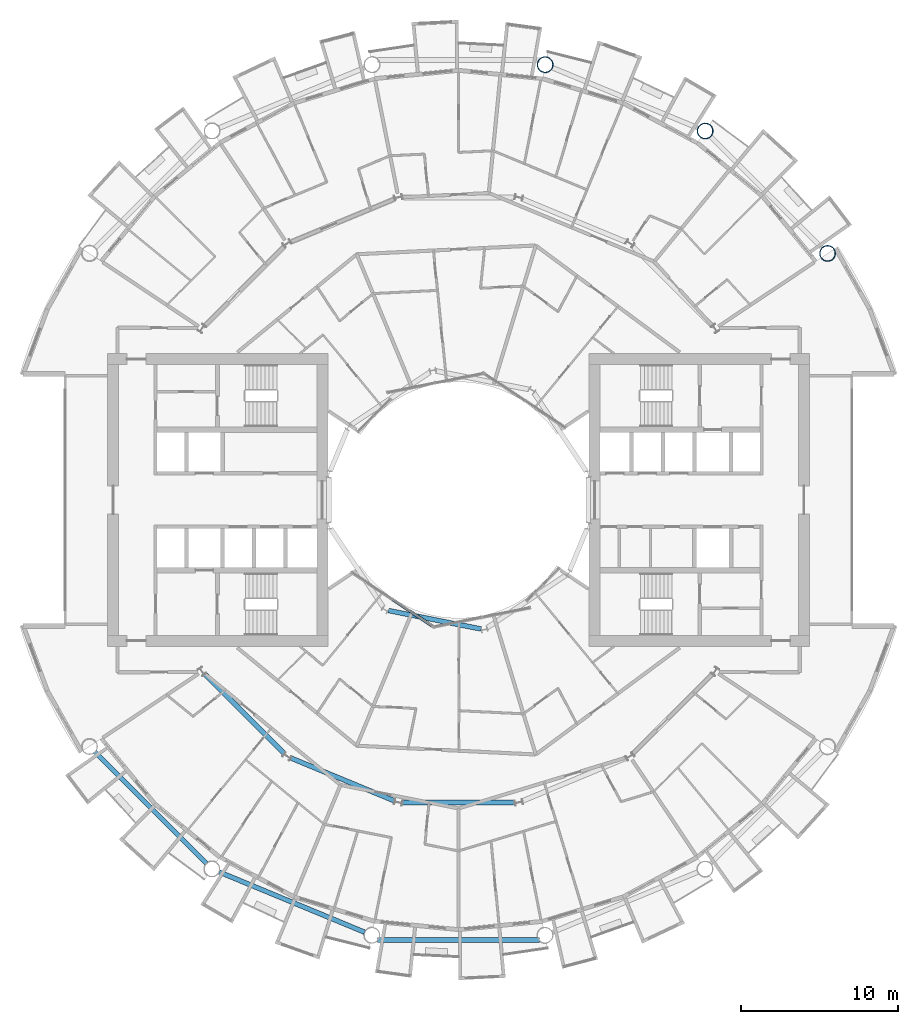
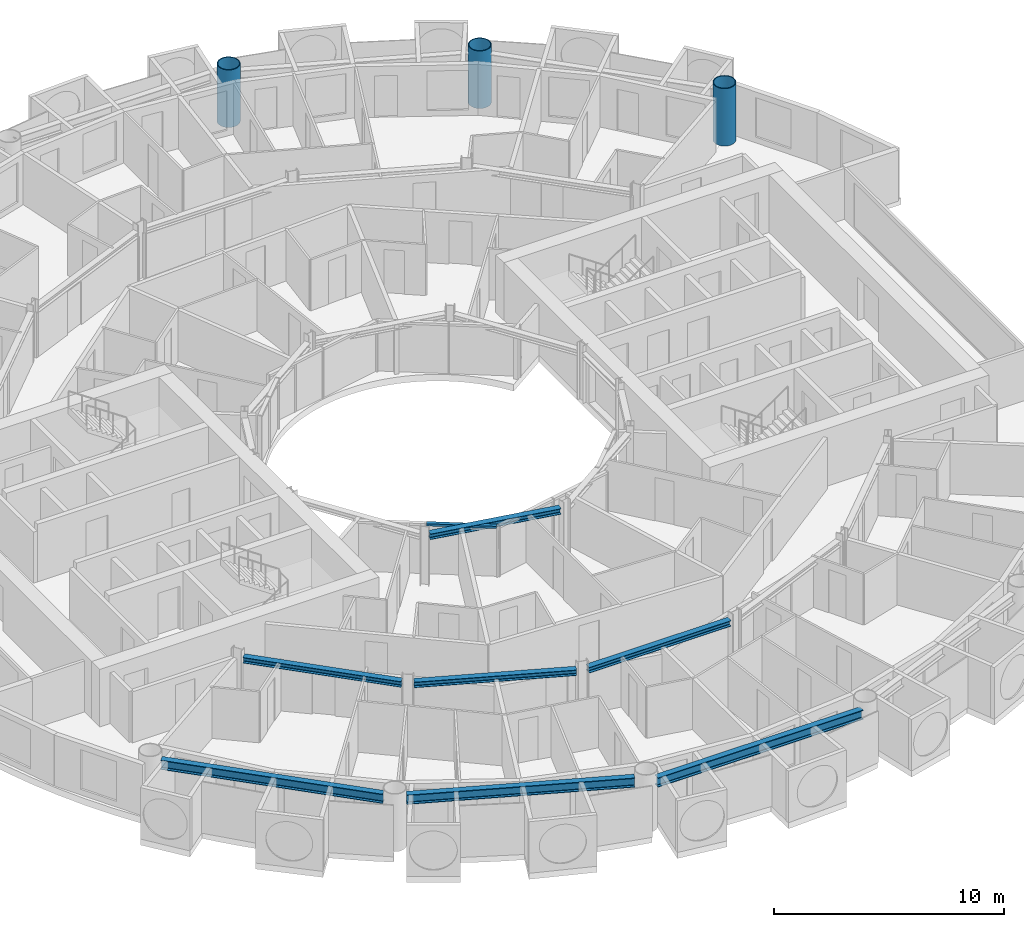
# One storey, part 4 of 26: 7 beams, 3 columns, 1 member, 1 element without a shape of its own.
"""IFC4 building model written with IfcOpenShell, lengths in metres."""

from ifc_helpers import new_model, si_unit, direction, frame, origin, origin_2d, place, context, subcontext, project, spatial, rectangle, hollow_circle, i_section, extrude, material, layer, layer_set, material_profile, profile_set, type_object, element, aggregate, save


model = new_model("IFC4")

# Units and contexts
model_context = context("Model", 3, precision=1e-05, world=origin(), true_north=direction((0.0, 1.0)))
body_context = subcontext(model_context, "Body", "Model", "MODEL_VIEW")
ifc_project = project(units=[si_unit("LENGTHUNIT", "METRE"), si_unit("AREAUNIT", "SQUARE_METRE"), si_unit("VOLUMEUNIT", "CUBIC_METRE"), si_unit("PLANEANGLEUNIT", "RADIAN"), si_unit("MASSUNIT", "GRAM", prefix="KILO")], contexts=[model_context])

# Site, building, storey
site_placement = place(None, origin())
site = spatial("IfcSite", under=ifc_project, at=site_placement, CompositionType="ELEMENT")
building_placement = place(site_placement, origin())
building = spatial("IfcBuilding", under=site, at=building_placement, Name="Maasbend Ring Residences", CompositionType="ELEMENT")
storey_placement = place(building_placement, frame((0.0, 0.0, 72.75)))
storey = spatial("IfcBuildingStorey", under=building, at=storey_placement, Name="L20", CompositionType="ELEMENT", Elevation=72.75)

# Columns
ifc_material_1 = material(Name="Composite concrete-filled steel tube S460NH / C80/95", Category="concrete")
ifc_material_profile_1 = material_profile(ifc_material_1, hollow_circle(Radius=0.508056640625, WallThickness=0.0400390625, at=origin_2d()), Name="Composite tube column CHS 1016x40")
ifc_profile_set_1 = profile_set([ifc_material_profile_1], Name="Composite concrete-filled steel tube S460NH / C80/95")
column_type = type_object("IfcColumnType", Name="Composite tube column CHS 1016x40", PredefinedType="COLUMN", material=ifc_profile_set_1)
for number, where, z_axis, x_axis, name in (
    (1, (23.447509765625, 15.6669921875, 0.0), (0.0, 0.0, 1.0), (1.0, 0.0, 0.0), "Outer column R2"),
    (2, (15.6669921875, 23.447509765625, 0.0), (0.0, 0.0, 1.0), (1.0, 0.0, 0.0), "Outer column R3"),
    (3, (5.50146484375, 27.658203125, 0.0), (0.0, 0.0, 1.0), (1.0, 0.0, 0.0), "Outer column R4"),
):
    element("IfcColumn", number, at=place(storey_placement, frame(where, z_axis=z_axis, x_axis=x_axis)), inside=storey, type_object=column_type, Name=name, PredefinedType="COLUMN", context=body_context, shape_type="SweptSolid", body=[
        extrude(hollow_circle(Radius=0.508056640625, WallThickness=0.0400390625, at=origin_2d()), origin(), (0.0, 0.0, 1.0), 3.050048828125),
    ])

# Curtain wall, member
ifc_material_2 = material(Name="Aluminium and clear glass", Category="aluminium")
ifc_layer = layer(ifc_material_2, 0.179931640625)
ifc_layer_set = layer_set([ifc_layer], Name="CW-W")
curtain_wall_type = type_object("IfcCurtainWallType", Name="CW-W", PredefinedType="NOTDEFINED", material=ifc_layer_set)
curtain_wall_placement = place(storey_placement, origin())
curtain_wall = element("IfcCurtainWall", 4, at=curtain_wall_placement, inside=storey, type_object=curtain_wall_type, Name="Well curtain wall S1", PredefinedType="NOTDEFINED")
ifc_material_3 = material(Name="Aluminium 6063-T6", Category="aluminium")
ifc_material_profile_2 = material_profile(ifc_material_3, rectangle(XDim=0.179931640625, YDim=0.1201171875, at=origin_2d()), Name="AL 180x120")
ifc_profile_set_2 = profile_set([ifc_material_profile_2], Name="Aluminium 6063-T6")
member_type = type_object("IfcMemberType", Name="CWT-W", PredefinedType="USERDEFINED", material=ifc_profile_set_2)
member_placement = place(storey_placement, frame((-4.19189453125, -6.32763671875, 2.639892578125), z_axis=(0.831496422459, -0.555530106689, 0.0), x_axis=(0.555530106689, 0.831496422459, 0.0)))
member = element("IfcMember", 5, at=member_placement, type_object=member_type, Name="Transom well face", ObjectType="TRANSOM", PredefinedType="USERDEFINED", context=body_context, shape_type="SweptSolid", body=[
    extrude(rectangle(XDim=0.179931640625, YDim=0.1201171875, at=origin_2d()), origin(), (0.0, 0.0, 1.0), 3.053955078125),
])
aggregate(curtain_wall, [member])

# Beams
ifc_material_4 = material(Name="Steel S355J2", Category="steel")
ifc_material_profile_3 = material_profile(ifc_material_4, i_section(OverallWidth=0.300048828125, OverallDepth=0.300048828125, WebThickness=0.010986328125, FlangeThickness=0.01904296875, FilletRadius=0.027099609375, at=origin_2d()), Name="HEB 300")
ifc_profile_set_3 = profile_set([ifc_material_profile_3], Name="Steel S355J2")
beam_type_1 = type_object("IfcBeamType", Name="Corridor ring beam HEB 300", PredefinedType="BEAM", material=ifc_profile_set_3)
for number, where, z_axis, x_axis, name in (
    (6, (-16.10791015625, -11.078125, 2.550048828125), (0.707106781187, -0.707106781187, 0.0), (0.707106781187, 0.707106781187, 0.0), "Corridor ring beam"),
    (7, (-10.642333984375, -16.39892578125, 2.550048828125), (0.923877113721, -0.382689271788, 0.0), (0.382689271788, 0.923877113721, 0.0), "Corridor ring beam"),
    (8, (-3.556640625, -19.223388671875, 2.550048828125), (1.0, 0.0, 0.0), (0.0, 1.0, 0.0), "Corridor ring beam"),
):
    element("IfcBeam", number, at=place(storey_placement, frame(where, z_axis=z_axis, x_axis=x_axis)), inside=storey, type_object=beam_type_1, Name=name, PredefinedType="BEAM", context=body_context, shape_type="SweptSolid", body=[
        extrude(i_section(OverallWidth=0.300048828125, OverallDepth=0.300048828125, WebThickness=0.010986328125, FlangeThickness=0.01904296875, FilletRadius=0.027099609375, at=origin_2d()), origin(), (0.0, 0.0, 1.0), 7.11328125),
    ])
ifc_material_5 = material(Name="Steel S355J2", Category="steel")
ifc_material_profile_4 = material_profile(ifc_material_5, i_section(OverallWidth=0.300048828125, OverallDepth=0.5, WebThickness=0.014404296875, FlangeThickness=0.028076171875, FilletRadius=0.027099609375, at=origin_2d()), Name="HEB 500")
ifc_profile_set_4 = profile_set([ifc_material_profile_4], Name="Steel S355J2")
beam_type_2 = type_object("IfcBeamType", Name="Spandrel ring beam HEB 500", PredefinedType="SPANDREL", material=ifc_profile_set_4)
beam_1_placement = place(storey_placement, frame((-23.088134765625, -16.0263671875, 2.449951171875), z_axis=(0.707106781187, -0.707106781187, 0.0), x_axis=(0.707106781187, 0.707106781187, 0.0)))
element("IfcBeam", 9, at=beam_1_placement, inside=storey, type_object=beam_type_2, Name="Spandrel ring beam", PredefinedType="SPANDREL", context=body_context, shape_type="SweptSolid", body=[
    extrude(i_section(OverallWidth=0.300048828125, OverallDepth=0.5, WebThickness=0.014404296875, FlangeThickness=0.028076171875, FilletRadius=0.027099609375, at=origin_2d()), origin(), (0.0, 0.0, 1.0), 9.98681640625),
])
beam_2_placement = place(storey_placement, frame((-15.19775390625, -23.641845703125, 2.449951171875), z_axis=(0.923886337442, -0.382667003395, 0.0), x_axis=(0.382667003395, 0.923886337442, 0.0)))
element("IfcBeam", 10, at=beam_2_placement, inside=storey, type_object=beam_type_2, Name="Spandrel ring beam", PredefinedType="SPANDREL", context=body_context, shape_type="SweptSolid", body=[
    extrude(i_section(OverallWidth=0.300048828125, OverallDepth=0.5, WebThickness=0.014404296875, FlangeThickness=0.028076171875, FilletRadius=0.027099609375, at=origin_2d()), origin(), (0.0, 0.0, 1.0), 9.9873046875),
])
beam_3_placement = place(storey_placement, frame((-5.1435546875, -27.9580078125, 2.449951171875), z_axis=(1.0, 0.0, 0.0), x_axis=(0.0, 1.0, 0.0)))
element("IfcBeam", 11, at=beam_3_placement, inside=storey, type_object=beam_type_2, Name="Spandrel ring beam", PredefinedType="SPANDREL", context=body_context, shape_type="SweptSolid", body=[
    extrude(i_section(OverallWidth=0.300048828125, OverallDepth=0.5, WebThickness=0.014404296875, FlangeThickness=0.028076171875, FilletRadius=0.027099609375, at=origin_2d()), origin(), (0.0, 0.0, 1.0), 10.287109375),
])
ifc_material_6 = material(Name="Steel S355J2", Category="steel")
ifc_material_profile_5 = material_profile(ifc_material_6, i_section(OverallWidth=0.300048828125, OverallDepth=0.300048828125, WebThickness=0.010986328125, FlangeThickness=0.01904296875, FilletRadius=0.027099609375, at=origin_2d()), Name="HEB 300")
ifc_profile_set_5 = profile_set([ifc_material_profile_5], Name="Steel S355J2")
beam_type_3 = type_object("IfcBeamType", Name="Well edge beam HEB 300", PredefinedType="BEAM", material=ifc_profile_set_5)
beam_4_placement = place(storey_placement, frame((-4.45458984375, -7.026611328125, 2.550048828125), z_axis=(0.980789954577, -0.195066821885, 0.0), x_axis=(0.195066821885, 0.980789954577, 0.0)))
element("IfcBeam", 12, at=beam_4_placement, inside=storey, type_object=beam_type_3, Name="Well edge beam", PredefinedType="BEAM", context=body_context, shape_type="SweptSolid", body=[
    extrude(i_section(OverallWidth=0.300048828125, OverallDepth=0.300048828125, WebThickness=0.010986328125, FlangeThickness=0.01904296875, FilletRadius=0.027099609375, at=origin_2d()), origin(), (0.0, 0.0, 1.0), 5.996337890625),
])

save(model, "model.ifc")
